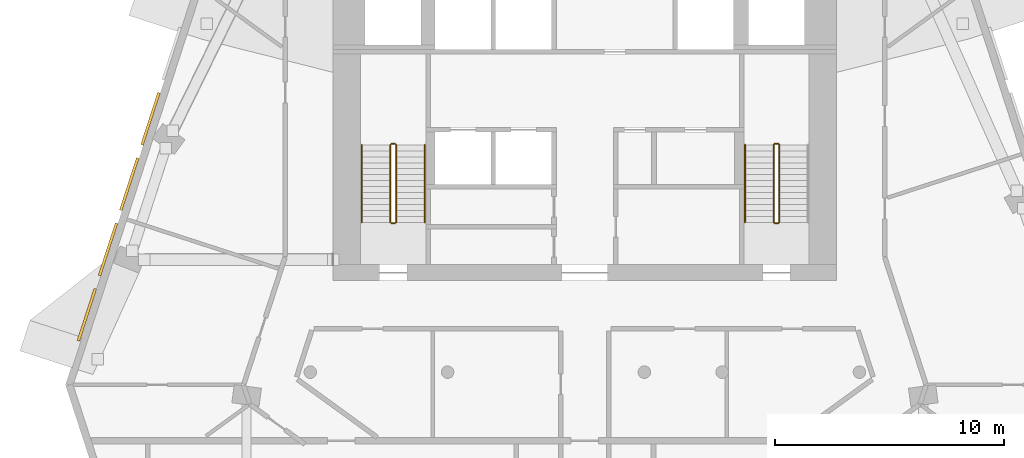
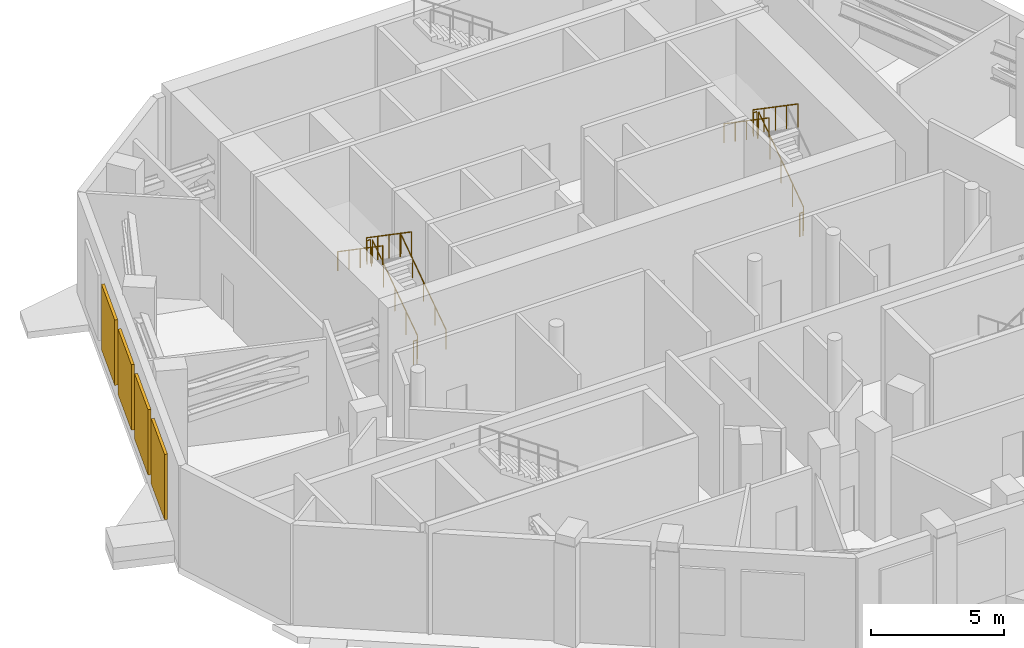
# One storey, part 12 of 15: 11 railings, 4 shading devices.
"""IFC4 building model written with IfcOpenShell, lengths in metres."""

import ifcopenshell
import ifcopenshell.guid

model = None  # the IFC model being written
_history = None  # IfcOwnerHistory: only IFC2X3 demands one
_inside = {}  # id of a spatial element -> (the spatial element, [elements in it])
_under = {}  # id of a project, library or spatial element -> (it, [spatial elements below it])
_declared = {}  # id of a project -> (the project, [libraries it declares])
_typed = {}  # id of a type object -> (the type object, [elements of that type])
_made_of = {}  # id of a material, layer set ... -> (it, [elements and type objects made of it])


def new_model(schema):
    """Start an empty IFC model of exactly this schema.

    Asked for "IFC4X3", IfcOpenShell would pick the latest addendum, in which some entities
    have other attributes; the version numbers below select the first issue.
    IFC2X3 requires an IfcOwnerHistory on every rooted entity: one is made here for all.
    """
    global model, _history
    if schema == "IFC4X3":
        model = ifcopenshell.file(schema_version=(4, 3, 0, 0))
    else:
        model = ifcopenshell.file(schema=schema)
    _inside.clear()
    _under.clear()
    _declared.clear()
    _typed.clear()
    _made_of.clear()
    _history = None
    if model.schema == "IFC2X3":
        org = make("IfcOrganization", Name="unknown")
        user = make(
            "IfcPersonAndOrganization",
            ThePerson=make("IfcPerson", FamilyName="unknown"),
            TheOrganization=org,
        )
        app = make(
            "IfcApplication",
            ApplicationDeveloper=org,
            Version="unknown",
            ApplicationFullName="unknown",
            ApplicationIdentifier="unknown",
        )
        _history = make(
            "IfcOwnerHistory",
            OwningUser=user,
            OwningApplication=app,
            ChangeAction="ADDED",
            CreationDate=0,
        )
    return model


def make(cls, **values):
    """One entity of the class cls with the attributes given. An attribute that is None is left unset."""
    return model.create_entity(
        cls, **{name: value for name, value in values.items() if value is not None}
    )


def rooted(cls, **values):
    """An entity with a GlobalId (a new one), such as an element, a storey or a relation."""
    return make(cls, GlobalId=ifcopenshell.guid.new(), OwnerHistory=_history, **values)


def si_unit(unit_type, name, prefix=None):
    """IfcSIUnit, for example si_unit("LENGTHUNIT", "METRE", prefix="MILLI")."""
    return make("IfcSIUnit", UnitType=unit_type, Prefix=prefix, Name=name)


def assignment(units):
    """IfcUnitAssignment: the units of a project."""
    return None if units is None else make("IfcUnitAssignment", Units=units)


def point(xyz):
    """IfcCartesianPoint."""
    return None if xyz is None else make("IfcCartesianPoint", Coordinates=xyz)


def direction(xyz):
    """IfcDirection."""
    return None if xyz is None else make("IfcDirection", DirectionRatios=xyz)


def frame(location, z_axis=None, x_axis=None):
    """IfcAxis2Placement3D, a coordinate frame: its origin and axes. An axis left out is left unset."""
    return make(
        "IfcAxis2Placement3D",
        Location=point(location),
        Axis=direction(z_axis),
        RefDirection=direction(x_axis),
    )


def frame_2d(location, x_axis=None):
    """IfcAxis2Placement2D, a coordinate frame in the plane: its origin and x axis."""
    return make(
        "IfcAxis2Placement2D", Location=point(location), RefDirection=direction(x_axis)
    )


def origin():
    """The frame at (0, 0, 0) with its axes left unset."""
    return frame((0.0, 0.0, 0.0))


def origin_2d():
    """The frame at (0, 0) in the plane with its x axis left unset."""
    return frame_2d((0.0, 0.0))


def place(relative_to, where):
    """IfcLocalPlacement: puts the frame where relative to a parent placement (None: the world)."""
    return make(
        "IfcLocalPlacement", PlacementRelTo=relative_to, RelativePlacement=where
    )


def context(
    kind, dimensions, precision=None, world=None, true_north=None, identifier=None
):
    """IfcGeometricRepresentationContext, for example the 3D "Model" context."""
    return make(
        "IfcGeometricRepresentationContext",
        ContextIdentifier=identifier,
        ContextType=kind,
        CoordinateSpaceDimension=dimensions,
        Precision=precision,
        WorldCoordinateSystem=world,
        TrueNorth=true_north,
    )


def subcontext(parent, identifier, kind, view, scale=None):
    """IfcGeometricRepresentationSubContext, for example "Body" below "Model"."""
    return make(
        "IfcGeometricRepresentationSubContext",
        ContextIdentifier=identifier,
        ContextType=kind,
        ParentContext=parent,
        TargetScale=scale,
        TargetView=view,
    )


def project(units=None, contexts=None):
    """IfcProject with its units and contexts."""
    return rooted(
        "IfcProject",
        Name="project",
        RepresentationContexts=contexts,
        UnitsInContext=assignment(units),
    )


def spatial(cls, under=None, at=None, **own):
    """A site, building, storey or space (cls), placed at a placement, below another one or the project."""
    s = rooted(cls, ObjectPlacement=at, **own)
    if under is not None:
        _under.setdefault(under.id(), (under, []))[1].append(s)
    return s


def profile(cls, at=None, kind="AREA", **sizes):
    """A parametric profile (cls). Its sizes go by their IFC names, for example OverallWidth=200.0."""
    return make(cls, ProfileType=kind, Position=at, **sizes)


def rectangle(**sizes):
    """IfcRectangleProfileDef."""
    return profile("IfcRectangleProfileDef", **sizes)


def circle(**sizes):
    """IfcCircleProfileDef."""
    return profile("IfcCircleProfileDef", **sizes)


def extrude(swept, where, along, depth):
    """IfcExtrudedAreaSolid: the profile swept, set in the frame where, extruded along a direction by depth."""
    return make(
        "IfcExtrudedAreaSolid",
        SweptArea=swept,
        Position=where,
        ExtrudedDirection=direction(along),
        Depth=depth,
    )


def shape(context_of_items, identifier, shape_type, items):
    """IfcShapeRepresentation: the items that make up one representation, for example the "Body"."""
    return make(
        "IfcShapeRepresentation",
        ContextOfItems=context_of_items,
        RepresentationIdentifier=identifier,
        RepresentationType=shape_type,
        Items=items,
    )


def material(Name=None, Category=None):
    """IfcMaterial."""
    return make("IfcMaterial", Name=Name, Category=Category)


def made_of(thing, what):
    """Note that an element or type object is made of a material, layer set ...; save() writes the relation."""
    if what is not None:
        _made_of.setdefault(what.id(), (what, []))[1].append(thing)
    return thing


def type_object(cls, material=None, **own):
    """A type object (cls), such as IfcWallType, which elements share."""
    return made_of(rooted(cls, **own), material)


def element(
    cls,
    number,
    at=None,
    inside=None,
    cuts=None,
    type_object=None,
    material=None,
    context=None,
    identifier="Body",
    shape_type=None,
    held_by="IfcProductDefinitionShape",
    body=None,
    shapes=None,
    **own,
):
    """One element of the class cls, such as IfcWall. Its Tag is "e" and its number.

    at: its placement. inside: the storey or other place that contains it. cuts: it is an
    opening in that element (IfcRelVoidsElement). A single representation is given by context,
    identifier, shape_type and body (its items); several are given by shapes. held_by: the class
    of the entity that holds the representations. save() writes the other relations.
    """
    e = rooted(cls, Tag="e%d" % number, ObjectPlacement=at, **own)
    if body is not None:
        shapes = [shape(context, identifier, shape_type, body)]
    if shapes is not None:
        e.Representation = make(held_by, Representations=shapes)
    if inside is not None:
        _inside.setdefault(inside.id(), (inside, []))[1].append(e)
    if cuts is not None:
        rooted(
            "IfcRelVoidsElement", RelatingBuildingElement=cuts, RelatedOpeningElement=e
        )
    if type_object is not None:
        _typed.setdefault(type_object.id(), (type_object, []))[1].append(e)
    return made_of(e, material)


def aggregate(whole, parts):
    """IfcRelAggregates: a whole, such as a stair, and the parts it consists of."""
    return rooted("IfcRelAggregates", RelatingObject=whole, RelatedObjects=parts)


def save(model, path):
    """Write the relations noted so far, then the file.

    IfcRelAggregates (storeys below a building ...), IfcRelContainedInSpatialStructure (elements
    in a storey), IfcRelDefinesByType, IfcRelAssociatesMaterial and IfcRelDeclares: one each for
    every whole, place, type object, material and project.
    """
    for whole, parts in _under.values():
        aggregate(whole, parts)
    for where, things in _inside.values():
        rooted(
            "IfcRelContainedInSpatialStructure",
            RelatedElements=things,
            RelatingStructure=where,
        )
    for kind, things in _typed.values():
        rooted("IfcRelDefinesByType", RelatedObjects=things, RelatingType=kind)
    for what, things in _made_of.values():
        rooted("IfcRelAssociatesMaterial", RelatedObjects=things, RelatingMaterial=what)
    for by, libraries in _declared.values():
        rooted("IfcRelDeclares", RelatingContext=by, RelatedDefinitions=libraries)
    model.write(path)


model = new_model("IFC4")

# Units and contexts
model_context = context("Model", 3, precision=1e-05, world=origin(), true_north=direction((0.0, 1.0)))
body_context = subcontext(model_context, "Body", "Model", "MODEL_VIEW")
ifc_project = project(units=[si_unit("LENGTHUNIT", "METRE"), si_unit("AREAUNIT", "SQUARE_METRE"), si_unit("VOLUMEUNIT", "CUBIC_METRE"), si_unit("PLANEANGLEUNIT", "RADIAN"), si_unit("MASSUNIT", "GRAM", prefix="KILO")], contexts=[model_context])

# Site, building, storey
site_placement = place(None, origin())
site = spatial("IfcSite", under=ifc_project, at=site_placement, CompositionType="ELEMENT")
building_placement = place(site_placement, origin())
building = spatial("IfcBuilding", under=site, at=building_placement, Name="White Candle Pilgrim Tower", CompositionType="ELEMENT")
storey_placement = place(building_placement, frame((0.0, 0.0, 295.10009765625)))
storey = spatial("IfcBuildingStorey", under=building, at=storey_placement, Name="L70", CompositionType="ELEMENT", Elevation=295.10009765625)

# Shading devices
ifc_material_1 = material(Name="Aluminium", Category="aluminium")
shading_device_type = type_object("IfcShadingDeviceType", Name="Plant louvre LV1 2400x3000 aluminium framed", PredefinedType="USERDEFINED", material=ifc_material_1)
for number, where, z_axis, x_axis, name in (
    (1, (51.017333984375, 78.069580078125, 0.7998046875), (0.0, 0.0, 1.0), (-0.309016998591, -0.951056514925, 0.0), "Plant louvre L70 WNW 2"),
    (2, (50.09033203125, 75.21630859375, 0.7998046875), (0.0, 0.0, 1.0), (-0.309016998591, -0.951056514925, 0.0), "Plant louvre L70 WNW 3"),
    (3, (49.1630859375, 72.36328125, 0.7998046875), (0.0, 0.0, 1.0), (-0.309016998591, -0.951056514925, 0.0), "Plant louvre L70 WNW 4"),
    (4, (48.236083984375, 69.510009765625, 0.7998046875), (0.0, 0.0, 1.0), (-0.309016998591, -0.951056514925, 0.0), "Plant louvre L70 WNW 5"),
):
    element("IfcShadingDevice", number, at=place(storey_placement, frame(where, z_axis=z_axis, x_axis=x_axis)), inside=storey, type_object=shading_device_type, Name=name, ObjectType="LOUVRE", PredefinedType="USERDEFINED", context=body_context, shape_type="SweptSolid", body=[
        extrude(rectangle(XDim=2.39990234375, YDim=0.1201171875, at=origin_2d()), origin(), (0.0, 0.0, 1.0), 3.0),
    ])

# Railings
ifc_material_2 = material(Name="Stainless steel", Category="steel")
railing_type_1 = type_object("IfcRailingType", Name="Stair guard stainless steel 1100 mm", PredefinedType="GUARDRAIL", material=ifc_material_2)
railing_1_placement = place(storey_placement, frame((61.75, 73.550048828125, 0.178466796875)))
element("IfcRailing", 5, at=railing_1_placement, inside=storey, type_object=railing_type_1, Name="L70 ST1 stair guard 1", PredefinedType="GUARDRAIL", context=body_context, shape_type="SweptSolid", body=[
    extrude(circle(Radius=0.02392578125, at=origin_2d()), frame((0.0, 0.0, 1.076171875), z_axis=(0.0, 0.824285065979, 0.566174999451), x_axis=(-1.0, 0.0, 0.0)), (0.0, 0.0, 1.0), 4.100341796875),
    extrude(circle(Radius=0.02099609375, at=origin_2d()), origin(), (0.0, 0.0, 1.0), 1.052001953125),
    extrude(circle(Radius=0.02099609375, at=origin_2d()), frame((0.0, 0.844970703125, 0.580322265625)), (0.0, 0.0, 1.0), 1.052001953125),
    extrude(circle(Radius=0.02099609375, at=origin_2d()), frame((0.0, 1.68994140625, 1.16064453125)), (0.0, 0.0, 1.0), 1.052001953125),
    extrude(circle(Radius=0.02099609375, at=origin_2d()), frame((0.0, 2.534912109375, 1.7412109375)), (0.0, 0.0, 1.0), 1.052001953125),
    extrude(circle(Radius=0.02099609375, at=origin_2d()), frame((0.0, 3.3798828125, 2.321533203125)), (0.0, 0.0, 1.0), 1.052001953125),
])
railing_2_placement = place(storey_placement, frame((61.699951171875, 76.97998046875, 2.5)))
element("IfcRailing", 6, at=railing_2_placement, inside=storey, type_object=railing_type_1, Name="L70 ST1 stair guard 2", PredefinedType="GUARDRAIL", context=body_context, shape_type="SweptSolid", body=[
    extrude(circle(Radius=0.02392578125, at=origin_2d()), frame((0.0, 0.0, 1.076171875), z_axis=(-1.0, 0.0, 0.0), x_axis=(0.0, -1.0, 0.0)), (0.0, 0.0, 1.0), 0.14990234375),
    extrude(circle(Radius=0.02099609375, at=origin_2d()), origin(), (0.0, 0.0, 1.0), 1.052001953125),
    extrude(circle(Radius=0.02099609375, at=origin_2d()), frame((-0.14990234375, 0.0, 0.0)), (0.0, 0.0, 1.0), 1.052001953125),
])
railing_3_placement = place(storey_placement, frame((61.5, 76.929931640625, 2.678466796875)))
element("IfcRailing", 7, at=railing_3_placement, inside=storey, type_object=railing_type_1, Name="L70 ST1 stair guard 3", PredefinedType="GUARDRAIL", context=body_context, shape_type="SweptSolid", body=[
    extrude(circle(Radius=0.02392578125, at=origin_2d()), frame((0.0, 0.0, 1.076171875), z_axis=(0.0, -0.824285065979, 0.566174999451), x_axis=(1.0, 0.0, 0.0)), (0.0, 0.0, 1.0), 4.100341796875),
    extrude(circle(Radius=0.02099609375, at=origin_2d()), origin(), (0.0, 0.0, 1.0), 1.052001953125),
    extrude(circle(Radius=0.02099609375, at=origin_2d()), frame((0.0, -0.844970703125, 0.580322265625)), (0.0, 0.0, 1.0), 1.052001953125),
    extrude(circle(Radius=0.02099609375, at=origin_2d()), frame((0.0, -1.68994140625, 1.16064453125)), (0.0, 0.0, 1.0), 1.052001953125),
    extrude(circle(Radius=0.02099609375, at=origin_2d()), frame((0.0, -2.534912109375, 1.7412109375)), (0.0, 0.0, 1.0), 1.052001953125),
    extrude(circle(Radius=0.02099609375, at=origin_2d()), frame((0.0, -3.3798828125, 2.321533203125)), (0.0, 0.0, 1.0), 1.052001953125),
])
railing_4_placement = place(storey_placement, frame((61.699951171875, 73.5, 0.0)))
element("IfcRailing", 8, at=railing_4_placement, inside=storey, type_object=railing_type_1, Name="L70 ST1 stair guard 4", PredefinedType="GUARDRAIL", context=body_context, shape_type="SweptSolid", body=[
    extrude(circle(Radius=0.02392578125, at=origin_2d()), frame((0.0, 0.0, 1.076171875), z_axis=(-1.0, 0.0, 0.0), x_axis=(0.0, -1.0, 0.0)), (0.0, 0.0, 1.0), 0.14990234375),
    extrude(circle(Radius=0.02099609375, at=origin_2d()), origin(), (0.0, 0.0, 1.0), 1.052001953125),
    extrude(circle(Radius=0.02099609375, at=origin_2d()), frame((-0.14990234375, 0.0, 0.0)), (0.0, 0.0, 1.0), 1.052001953125),
])
railing_5_placement = place(storey_placement, frame((78.5, 73.550048828125, 0.178466796875)))
element("IfcRailing", 9, at=railing_5_placement, inside=storey, type_object=railing_type_1, Name="L70 ST2 stair guard 1", PredefinedType="GUARDRAIL", context=body_context, shape_type="SweptSolid", body=[
    extrude(circle(Radius=0.02392578125, at=origin_2d()), frame((0.0, 0.0, 1.076171875), z_axis=(0.0, 0.824285065979, 0.566174999451), x_axis=(-1.0, 0.0, 0.0)), (0.0, 0.0, 1.0), 4.100341796875),
    extrude(circle(Radius=0.02099609375, at=origin_2d()), origin(), (0.0, 0.0, 1.0), 1.052001953125),
    extrude(circle(Radius=0.02099609375, at=origin_2d()), frame((0.0, 0.844970703125, 0.580322265625)), (0.0, 0.0, 1.0), 1.052001953125),
    extrude(circle(Radius=0.02099609375, at=origin_2d()), frame((0.0, 1.68994140625, 1.16064453125)), (0.0, 0.0, 1.0), 1.052001953125),
    extrude(circle(Radius=0.02099609375, at=origin_2d()), frame((0.0, 2.534912109375, 1.7412109375)), (0.0, 0.0, 1.0), 1.052001953125),
    extrude(circle(Radius=0.02099609375, at=origin_2d()), frame((0.0, 3.3798828125, 2.321533203125)), (0.0, 0.0, 1.0), 1.052001953125),
])
railing_6_placement = place(storey_placement, frame((78.449951171875, 76.97998046875, 2.5)))
element("IfcRailing", 10, at=railing_6_placement, inside=storey, type_object=railing_type_1, Name="L70 ST2 stair guard 2", PredefinedType="GUARDRAIL", context=body_context, shape_type="SweptSolid", body=[
    extrude(circle(Radius=0.02392578125, at=origin_2d()), frame((0.0, 0.0, 1.076171875), z_axis=(-1.0, 0.0, 0.0), x_axis=(0.0, -1.0, 0.0)), (0.0, 0.0, 1.0), 0.14990234375),
    extrude(circle(Radius=0.02099609375, at=origin_2d()), origin(), (0.0, 0.0, 1.0), 1.052001953125),
    extrude(circle(Radius=0.02099609375, at=origin_2d()), frame((-0.14990234375, 0.0, 0.0)), (0.0, 0.0, 1.0), 1.052001953125),
])
railing_7_placement = place(storey_placement, frame((78.25, 76.929931640625, 2.678466796875)))
element("IfcRailing", 11, at=railing_7_placement, inside=storey, type_object=railing_type_1, Name="L70 ST2 stair guard 3", PredefinedType="GUARDRAIL", context=body_context, shape_type="SweptSolid", body=[
    extrude(circle(Radius=0.02392578125, at=origin_2d()), frame((0.0, 0.0, 1.076171875), z_axis=(0.0, -0.824285065979, 0.566174999451), x_axis=(1.0, 0.0, 0.0)), (0.0, 0.0, 1.0), 4.100341796875),
    extrude(circle(Radius=0.02099609375, at=origin_2d()), origin(), (0.0, 0.0, 1.0), 1.052001953125),
    extrude(circle(Radius=0.02099609375, at=origin_2d()), frame((0.0, -0.844970703125, 0.580322265625)), (0.0, 0.0, 1.0), 1.052001953125),
    extrude(circle(Radius=0.02099609375, at=origin_2d()), frame((0.0, -1.68994140625, 1.16064453125)), (0.0, 0.0, 1.0), 1.052001953125),
    extrude(circle(Radius=0.02099609375, at=origin_2d()), frame((0.0, -2.534912109375, 1.7412109375)), (0.0, 0.0, 1.0), 1.052001953125),
    extrude(circle(Radius=0.02099609375, at=origin_2d()), frame((0.0, -3.3798828125, 2.321533203125)), (0.0, 0.0, 1.0), 1.052001953125),
])
railing_8_placement = place(storey_placement, frame((78.449951171875, 73.5, 0.0)))
element("IfcRailing", 12, at=railing_8_placement, inside=storey, type_object=railing_type_1, Name="L70 ST2 stair guard 4", PredefinedType="GUARDRAIL", context=body_context, shape_type="SweptSolid", body=[
    extrude(circle(Radius=0.02392578125, at=origin_2d()), frame((0.0, 0.0, 1.076171875), z_axis=(-1.0, 0.0, 0.0), x_axis=(0.0, -1.0, 0.0)), (0.0, 0.0, 1.0), 0.14990234375),
    extrude(circle(Radius=0.02099609375, at=origin_2d()), origin(), (0.0, 0.0, 1.0), 1.052001953125),
    extrude(circle(Radius=0.02099609375, at=origin_2d()), frame((-0.14990234375, 0.0, 0.0)), (0.0, 0.0, 1.0), 1.052001953125),
])
railing_type_2 = type_object("IfcRailingType", Name="Stair handrail stainless steel", PredefinedType="HANDRAIL", material=ifc_material_2)
railing_9_placement = place(storey_placement, frame((63.0, 73.550048828125, 0.178466796875)))
element("IfcRailing", 13, at=railing_9_placement, inside=storey, type_object=railing_type_2, Name="L70 ST1 stair handrail 1", PredefinedType="HANDRAIL", context=body_context, shape_type="SweptSolid", body=[
    extrude(circle(Radius=0.02392578125, at=origin_2d()), frame((0.0, 0.0, 0.8759765625), z_axis=(0.0, 0.824285065979, 0.566174999451), x_axis=(-1.0, 0.0, 0.0)), (0.0, 0.0, 1.0), 4.100341796875),
    extrude(circle(Radius=0.02099609375, at=origin_2d()), origin(), (0.0, 0.0, 1.0), 0.851806640625),
    extrude(circle(Radius=0.02099609375, at=origin_2d()), frame((0.0, 0.844970703125, 0.580322265625)), (0.0, 0.0, 1.0), 0.851806640625),
    extrude(circle(Radius=0.02099609375, at=origin_2d()), frame((0.0, 1.68994140625, 1.16064453125)), (0.0, 0.0, 1.0), 0.851806640625),
    extrude(circle(Radius=0.02099609375, at=origin_2d()), frame((0.0, 2.534912109375, 1.7412109375)), (0.0, 0.0, 1.0), 0.851806640625),
    extrude(circle(Radius=0.02099609375, at=origin_2d()), frame((0.0, 3.3798828125, 2.321533203125)), (0.0, 0.0, 1.0), 0.851806640625),
])
for number, where, name in (
    (14, (60.25, 76.929931640625, 2.678466796875), "L70 ST1 stair handrail 2"),
    (15, (77.0, 76.929931640625, 2.678466796875), "L70 ST2 stair handrail 2"),
):
    element("IfcRailing", number, at=place(storey_placement, frame(where)), inside=storey, type_object=railing_type_2, Name=name, PredefinedType="HANDRAIL", context=body_context, shape_type="SweptSolid", body=[
        extrude(circle(Radius=0.02392578125, at=origin_2d()), frame((0.0, 0.0, 0.8759765625), z_axis=(0.0, -0.824285065979, 0.566174999451), x_axis=(1.0, 0.0, 0.0)), (0.0, 0.0, 1.0), 4.100341796875),
        extrude(circle(Radius=0.02099609375, at=origin_2d()), origin(), (0.0, 0.0, 1.0), 0.851806640625),
        extrude(circle(Radius=0.02099609375, at=origin_2d()), frame((0.0, -0.844970703125, 0.580322265625)), (0.0, 0.0, 1.0), 0.851806640625),
        extrude(circle(Radius=0.02099609375, at=origin_2d()), frame((0.0, -1.68994140625, 1.16064453125)), (0.0, 0.0, 1.0), 0.851806640625),
        extrude(circle(Radius=0.02099609375, at=origin_2d()), frame((0.0, -2.534912109375, 1.7412109375)), (0.0, 0.0, 1.0), 0.851806640625),
        extrude(circle(Radius=0.02099609375, at=origin_2d()), frame((0.0, -3.3798828125, 2.321533203125)), (0.0, 0.0, 1.0), 0.851806640625),
    ])

save(model, "model.ifc")
